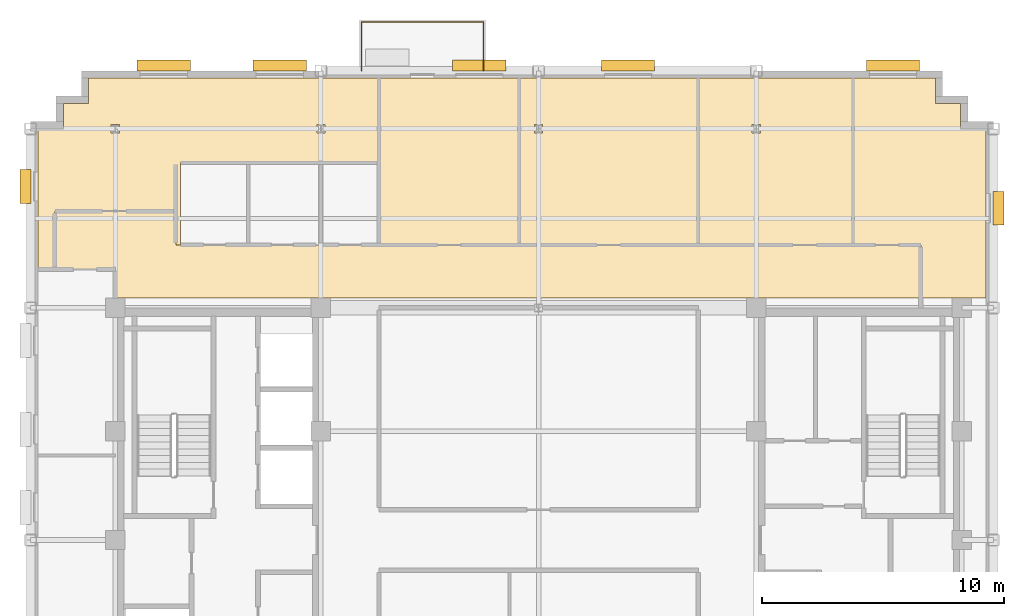
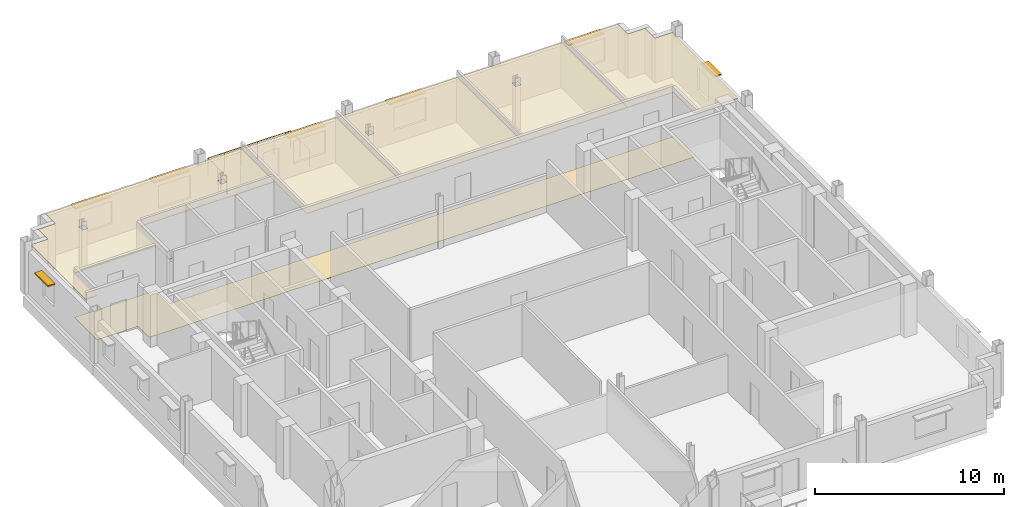
# One storey, part 13 of 13: 7 shading devices, 6 coverings, 1 railing.
"""IFC4 building model written with IfcOpenShell, lengths in metres."""

from ifc_helpers import new_model, si_unit, direction, frame, origin, origin_2d, place, context, subcontext, project, spatial, polyline, rectangle, circle, outline, extrude, source, transform, mapped, material, layer, layer_set, type_object, type_shapes, element, save


model = new_model("IFC4")

# Units and contexts
model_context = context("Model", 3, precision=1e-05, world=origin(), true_north=direction((0.0, 1.0)))
body_context = subcontext(model_context, "Body", "Model", "MODEL_VIEW")
ifc_project = project(units=[si_unit("LENGTHUNIT", "METRE"), si_unit("AREAUNIT", "SQUARE_METRE"), si_unit("VOLUMEUNIT", "CUBIC_METRE"), si_unit("PLANEANGLEUNIT", "RADIAN"), si_unit("MASSUNIT", "GRAM", prefix="KILO")], contexts=[model_context])

# Site, building, storey
site_placement = place(None, origin())
site = spatial("IfcSite", under=ifc_project, at=site_placement, CompositionType="ELEMENT")
building_placement = place(site_placement, origin())
building = spatial("IfcBuilding", under=site, at=building_placement, Name="Nuvemarco Arch Tower", CompositionType="ELEMENT")
storey_placement = place(building_placement, frame((0.0, 0.0, 265.25)))
storey = spatial("IfcBuildingStorey", under=building, at=storey_placement, Name="L70", CompositionType="ELEMENT", Elevation=265.25)

# Coverings
ifc_material_1 = material(Name="Mineral acoustic ceiling tile")
ifc_layer_1 = layer(ifc_material_1, 0.0400390625, Name="COV-ACOUSTIC-CLG")
ifc_layer_set_1 = layer_set([ifc_layer_1], Name="Mineral acoustic ceiling tile")
covering_type_1 = type_object("IfcCoveringType", Name="COV-ACOUSTIC-CLG", PredefinedType="CEILING", material=ifc_layer_set_1)
covering_1_placement = place(storey_placement, frame((0.0, 0.0, 2.85009765625)))
element("IfcCovering", 1, at=covering_1_placement, inside=storey, type_object=covering_type_1, Name="L70 suspended acoustic ceiling 3", PredefinedType="CEILING", context=body_context, shape_type="SweptSolid", body=[
    extrude(outline(polyline([(-15.0, 12.199951171875), (-15.0, 13.60009765625), (-20.0, 13.60009765625), (-20.0, 11.199951171875), (-20.699951171875, 11.199951171875), (-20.699951171875, 17.0), (-19.64990234375, 17.0), (-19.64990234375, 18.050048828125), (-18.60009765625, 18.050048828125), (-18.60009765625, 19.10009765625), (-6.60009765625, 19.10009765625), (-6.60009765625, 15.60009765625), (-9.199951171875, 15.60009765625), (-12.0, 15.60009765625), (-14.800048828125, 15.60009765625), (-14.800048828125, 12.199951171875), (-15.0, 12.199951171875)]), holes=[polyline([(-17.330078125, 17.169921875), (-17.669921875, 17.169921875), (-17.669921875, 16.830078125), (-17.330078125, 16.830078125), (-17.330078125, 17.169921875)]), polyline([(-8.830078125, 17.169921875), (-9.169921875, 17.169921875), (-9.169921875, 16.830078125), (-8.830078125, 16.830078125), (-8.830078125, 17.169921875)])]), origin(), (0.0, 0.0, 1.0), 0.039794921875),
])
covering_2_placement = place(storey_placement, frame((0.0, 0.0, 2.85009765625)))
element("IfcCovering", 2, at=covering_2_placement, inside=storey, type_object=covering_type_1, Name="L70 suspended acoustic ceiling 5", PredefinedType="CEILING", context=body_context, shape_type="SweptSolid", body=[
    extrude(outline(polyline([(-0.800048828125, 12.199951171875), (-0.800048828125, 19.10009765625), (6.60009765625, 19.10009765625), (6.60009765625, 12.199951171875), (-0.800048828125, 12.199951171875)]), holes=[polyline([(0.169921875, 16.830078125), (0.169921875, 17.169921875), (-0.169921875, 17.169921875), (-0.169921875, 16.830078125), (0.169921875, 16.830078125)])]), origin(), (0.0, 0.0, 1.0), 0.039794921875),
])
covering_3_placement = place(storey_placement, frame((0.0, 0.0, 2.85009765625)))
element("IfcCovering", 3, at=covering_3_placement, inside=storey, type_object=covering_type_1, Name="L70 suspended acoustic ceiling 6", PredefinedType="CEILING", context=body_context, shape_type="SweptSolid", body=[
    extrude(outline(polyline([(13.0, 12.199951171875), (9.0, 12.199951171875), (6.60009765625, 12.199951171875), (6.60009765625, 19.10009765625), (13.0, 19.10009765625), (13.0, 12.199951171875)]), holes=[polyline([(9.169921875, 17.169921875), (8.830078125, 17.169921875), (8.830078125, 16.830078125), (9.169921875, 16.830078125), (9.169921875, 17.169921875)])]), origin(), (0.0, 0.0, 1.0), 0.039794921875),
])
covering_4_placement = place(storey_placement, frame((0.0, 0.0, 2.85009765625)))
element("IfcCovering", 4, at=covering_4_placement, inside=storey, type_object=covering_type_1, Name="L70 suspended acoustic ceiling 7", PredefinedType="CEILING", context=body_context, shape_type="SweptSolid", body=[
    extrude(outline(polyline([(18.5, 17.0), (18.5, 10.0), (17.9150390625, 10.0), (17.9150390625, 10.014892578125), (17.0849609375, 10.014892578125), (17.0849609375, 10.0), (15.800048828125, 10.0), (15.800048828125, 12.199951171875), (13.0, 12.199951171875), (13.0, 19.10009765625), (16.39990234375, 19.10009765625), (16.39990234375, 18.050048828125), (17.449951171875, 18.050048828125), (17.449951171875, 17.0), (18.5, 17.0)])), origin(), (0.0, 0.0, 1.0), 0.039794921875),
])
covering_5_placement = place(storey_placement, frame((0.0, 0.0, 2.85009765625)))
element("IfcCovering", 5, at=covering_5_placement, inside=storey, type_object=covering_type_1, Name="L70 suspended acoustic ceiling 8", PredefinedType="CEILING", context=body_context, shape_type="SweptSolid", body=[
    extrude(outline(polyline([(-0.800048828125, 12.199951171875), (-6.60009765625, 12.199951171875), (-6.60009765625, 15.60009765625), (-6.60009765625, 19.10009765625), (-0.800048828125, 19.10009765625), (-0.800048828125, 12.199951171875)])), origin(), (0.0, 0.0, 1.0), 0.039794921875),
])
ifc_material_2 = material(Name="Polished granite terrazzostone flooring", Category="masonry")
ifc_layer_2 = layer(ifc_material_2, 0.02001953125, Name="COV-LOBBY-FLR")
ifc_layer_set_2 = layer_set([ifc_layer_2], Name="Polished granite terrazzostone flooring")
covering_type_2 = type_object("IfcCoveringType", Name="COV-LOBBY-FLR", PredefinedType="FLOORING", material=ifc_layer_set_2)
covering_6_placement = place(storey_placement, origin())
element("IfcCovering", 6, at=covering_6_placement, inside=storey, type_object=covering_type_2, Name="L70 polished terrazzo lobby flooring", PredefinedType="FLOORING", context=body_context, shape_type="SweptSolid", body=[
    extrude(outline(polyline([(-8.5849609375, 10.014892578125), (-9.4150390625, 10.014892578125), (-9.4150390625, 10.0), (-17.0849609375, 10.0), (-17.0849609375, 10.014892578125), (-17.5, 10.014892578125), (-17.5, 11.199951171875), (-20.0, 11.199951171875), (-20.0, 13.60009765625), (-15.0, 13.60009765625), (-15.0, 12.199951171875), (-9.0, 12.199951171875), (-6.60009765625, 12.199951171875), (6.60009765625, 12.199951171875), (9.0, 12.199951171875), (15.800048828125, 12.199951171875), (15.800048828125, 10.0), (9.4150390625, 10.0), (9.4150390625, 10.014892578125), (8.5849609375, 10.014892578125), (8.5849609375, 10.0), (-8.5849609375, 10.0), (-8.5849609375, 10.014892578125)])), origin(), (0.0, 0.0, 1.0), 0.02001953125),
])

# Railing
ifc_material_3 = material(Name="Dark anodised balustrade steel S355", Category="steel")
railing_type = type_object("IfcRailingType", Name="RL-TERR-GUARD", PredefinedType="BALUSTRADE", material=ifc_material_3)
railing_placement = place(storey_placement, frame((-7.320068359375, 19.39990234375, 0.0)))
element("IfcRailing", 7, at=railing_placement, inside=storey, type_object=railing_type, Name="L70 tree balcony perimeter balustrade guard", PredefinedType="BALUSTRADE", context=body_context, shape_type="SweptSolid", body=[
    extrude(circle(Radius=0.02392578125, at=origin_2d()), frame((0.0, 0.0, 1.1259765625), z_axis=(0.0, 1.0, 0.0), x_axis=(-1.0, 0.0, 0.0)), (0.0, 0.0, 1.0), 2.02001953125),
    extrude(circle(Radius=0.02392578125, at=origin_2d()), frame((0.0, 2.02001953125, 1.1259765625), z_axis=(1.0, 0.0, 0.0), x_axis=(0.0, 1.0, 0.0)), (0.0, 0.0, 1.0), 5.0400390625),
    extrude(circle(Radius=0.02392578125, at=origin_2d()), frame((5.0400390625, 2.02001953125, 1.1259765625), z_axis=(0.0, -1.0, 0.0), x_axis=(1.0, 0.0, 0.0)), (0.0, 0.0, 1.0), 2.02001953125),
    extrude(circle(Radius=0.02099609375, at=origin_2d()), origin(), (0.0, 0.0, 1.0), 1.101806640625),
    extrude(circle(Radius=0.02099609375, at=origin_2d()), frame((0.0, 1.010009765625, 0.0)), (0.0, 0.0, 1.0), 1.101806640625),
    extrude(circle(Radius=0.02099609375, at=origin_2d()), frame((0.0, 2.02001953125, 0.0)), (0.0, 0.0, 1.0), 1.101806640625),
    extrude(circle(Radius=0.02099609375, at=origin_2d()), frame((1.008056640625, 2.02001953125, 0.0)), (0.0, 0.0, 1.0), 1.101806640625),
    extrude(circle(Radius=0.02099609375, at=origin_2d()), frame((2.01611328125, 2.02001953125, 0.0)), (0.0, 0.0, 1.0), 1.101806640625),
    extrude(circle(Radius=0.02099609375, at=origin_2d()), frame((3.02392578125, 2.02001953125, 0.0)), (0.0, 0.0, 1.0), 1.101806640625),
    extrude(circle(Radius=0.02099609375, at=origin_2d()), frame((4.031982421875, 2.02001953125, 0.0)), (0.0, 0.0, 1.0), 1.101806640625),
    extrude(circle(Radius=0.02099609375, at=origin_2d()), frame((5.0400390625, 2.02001953125, 0.0)), (0.0, 0.0, 1.0), 1.101806640625),
    extrude(circle(Radius=0.02099609375, at=origin_2d()), frame((5.0400390625, 1.010009765625, 0.0)), (0.0, 0.0, 1.0), 1.101806640625),
    extrude(circle(Radius=0.02099609375, at=origin_2d()), frame((5.0400390625, 0.0, 0.0)), (0.0, 0.0, 1.0), 1.101806640625),
])

# Shading devices
ifc_material_4 = material(Name="Anodised aluminium 6063-T6", Category="aluminium")
shading_device_type_1 = type_object("IfcShadingDeviceType", Name="SHD-BRISE-SOLEIL", PredefinedType="USERDEFINED", material=ifc_material_4)
shared_shape_1 = source(origin(), body_context, "Body", "SweptSolid", [
    extrude(rectangle(XDim=2.199951171875, YDim=0.449951171875, at=origin_2d()), origin(), (0.0, 0.0, 1.0), 0.080078125),
])
type_shapes(shading_device_type_1, [shared_shape_1])
for number, where, z_axis, x_axis, name in (
    (8, (-15.5, 19.614990234375, 2.284912109375), (0.0, 0.0, 1.0), (1.0, 0.0, 0.0), "L70 horizontal brise-soleil sunshade"),
    (9, (-10.699951171875, 19.614990234375, 2.284912109375), (0.0, 0.0, 1.0), (1.0, 0.0, 0.0), "L70 horizontal brise-soleil sunshade"),
    (10, (-2.449951171875, 19.614990234375, 2.284912109375), (0.0, 0.0, 1.0), (1.0, 0.0, 0.0), "L70 horizontal brise-soleil sunshade"),
    (11, (3.699951171875, 19.614990234375, 2.284912109375), (0.0, 0.0, 1.0), (1.0, 0.0, 0.0), "L70 horizontal brise-soleil sunshade"),
    (12, (14.64990234375, 19.614990234375, 2.284912109375), (0.0, 0.0, 1.0), (1.0, 0.0, 0.0), "L70 horizontal brise-soleil sunshade"),
):
    element("IfcShadingDevice", number, at=place(storey_placement, frame(where, z_axis=z_axis, x_axis=x_axis)), inside=storey, type_object=shading_device_type_1, Name=name, ObjectType="SUNSHADE", PredefinedType="USERDEFINED", context=body_context, shape_type="MappedRepresentation", body=[
        mapped(shared_shape_1, transform((0.0, 0.0, 0.0), scale=1.0)),
    ])
shading_device_type_2 = type_object("IfcShadingDeviceType", Name="SHD-BRISE-NARROW", PredefinedType="USERDEFINED", material=ifc_material_4)
shared_shape_2 = source(origin(), body_context, "Body", "SweptSolid", [
    extrude(rectangle(XDim=1.39990234375, YDim=0.449951171875, at=origin_2d()), origin(), (0.0, 0.0, 1.0), 0.080078125),
])
type_shapes(shading_device_type_2, [shared_shape_2])
for number, where, z_axis, x_axis, name in (
    (13, (19.014892578125, 13.7177734375, 2.284912109375), (0.0, 0.0, 1.0), (0.0, 1.0, 0.0), "L70 horizontal brise-soleil sunshade"),
    (14, (-21.215087890625, 14.61767578125, 2.284912109375), (0.0, 0.0, 1.0), (0.0, 1.0, 0.0), "L70 horizontal brise-soleil sunshade"),
):
    element("IfcShadingDevice", number, at=place(storey_placement, frame(where, z_axis=z_axis, x_axis=x_axis)), inside=storey, type_object=shading_device_type_2, Name=name, ObjectType="SUNSHADE", PredefinedType="USERDEFINED", context=body_context, shape_type="MappedRepresentation", body=[
        mapped(shared_shape_2, transform((0.0, 0.0, 0.0), scale=1.0)),
    ])

save(model, "model.ifc")
